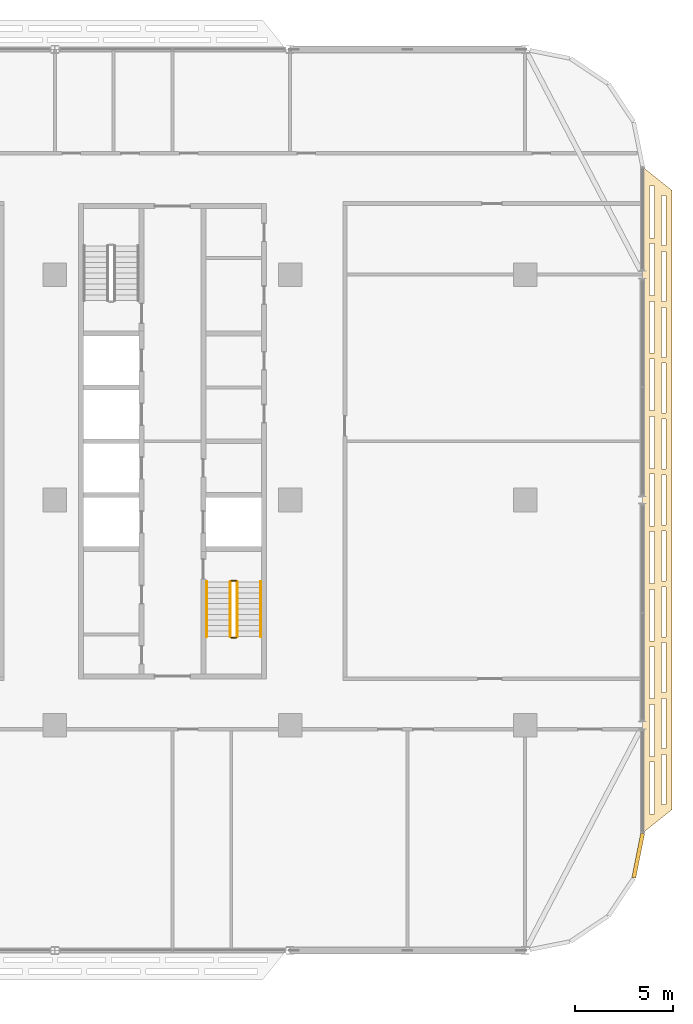
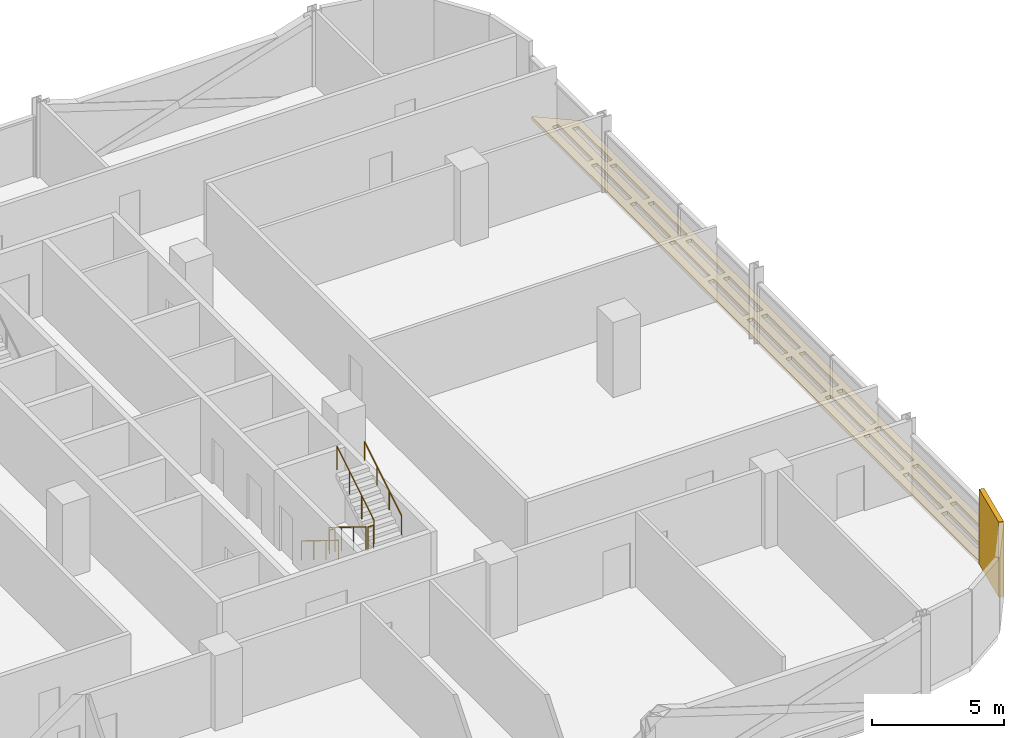
# One storey, part 26 of 27: 6 railings, 2 coverings.
"""IFC4 building model written with IfcOpenShell, lengths in metres."""

from ifc_helpers import new_model, si_unit, direction, frame, origin, origin_2d, place, context, subcontext, project, spatial, polyline, rectangle, circle, outline, extrude, material, layer, layer_set, type_object, element, save


model = new_model("IFC4")

# Units and contexts
model_context = context("Model", 3, precision=1e-05, world=origin(), true_north=direction((0.0, 1.0)))
body_context = subcontext(model_context, "Body", "Model", "MODEL_VIEW")
ifc_project = project(units=[si_unit("LENGTHUNIT", "METRE"), si_unit("AREAUNIT", "SQUARE_METRE"), si_unit("VOLUMEUNIT", "CUBIC_METRE"), si_unit("PLANEANGLEUNIT", "RADIAN"), si_unit("MASSUNIT", "GRAM", prefix="KILO")], contexts=[model_context])

# Site, building, storey
site_placement = place(None, origin())
site = spatial("IfcSite", under=ifc_project, at=site_placement, CompositionType="ELEMENT")
building_placement = place(site_placement, origin())
building = spatial("IfcBuilding", under=site, at=building_placement, Name="Mahtab Terrace Research Tower", CompositionType="ELEMENT")
storey_placement = place(building_placement, frame((0.0, 0.0, 170.60009765625)))
storey = spatial("IfcBuildingStorey", under=building, at=storey_placement, Name="L40", CompositionType="ELEMENT", Elevation=170.60009765625)

# Coverings
ifc_material_1 = material(Name="Black aluminium cladding panel", Category="aluminium")
ifc_layer_1 = layer(ifc_material_1, 0.199951171875)
ifc_layer_set_1 = layer_set([ifc_layer_1], Name="Black metal corner cladding 200")
covering_type_1 = type_object("IfcCoveringType", Name="Black metal corner cladding 200", PredefinedType="CLADDING", material=ifc_layer_set_1)
covering_1_placement = place(storey_placement, frame((47.771484375, -18.14794921875, 0.0), z_axis=(0.0, 0.0, 1.0), x_axis=(0.195212442692, 0.980760981187, 0.0)))
element("IfcCovering", 1, at=covering_1_placement, inside=storey, type_object=covering_type_1, Name="Corner cladding L40 33", PredefinedType="CLADDING", context=body_context, shape_type="SweptSolid", body=[
    extrude(rectangle(XDim=2.30126953125, YDim=0.199951171875, at=origin_2d()), origin(), (0.0, 0.0, 1.0), 3.4599609375),
])
ifc_material_2 = material(Name="Black anodised aluminium", Category="aluminium")
ifc_layer_2 = layer(ifc_material_2, 0.14990234375)
ifc_layer_set_2 = layer_set([ifc_layer_2], Name="Horizontal sunshade band")
covering_type_2 = type_object("IfcCoveringType", Name="Horizontal sunshade band", PredefinedType="CLADDING", material=ifc_layer_set_2)
covering_2_placement = place(storey_placement, frame((0.0, 0.0, -0.150146484375)))
element("IfcCovering", 2, at=covering_2_placement, inside=storey, type_object=covering_type_2, Name="Sunshade band L40 34", PredefinedType="CLADDING", context=body_context, shape_type="SweptSolid", body=[
    extrude(outline(polyline([(48.0, -17.0), (48.0, 17.0), (49.5, 15.800048828125), (49.5, -15.800048828125), (48.0, -17.0)]), holes=[polyline([(48.35009765625, -16.02001953125), (48.35009765625, -13.3798828125), (48.60009765625, -13.3798828125), (48.60009765625, -16.02001953125), (48.35009765625, -16.02001953125)]), polyline([(48.35009765625, -13.080078125), (48.35009765625, -10.43994140625), (48.60009765625, -10.43994140625), (48.60009765625, -13.080078125), (48.35009765625, -13.080078125)]), polyline([(48.35009765625, -10.139892578125), (48.35009765625, -7.5), (48.60009765625, -7.5), (48.60009765625, -10.139892578125), (48.35009765625, -10.139892578125)]), polyline([(48.35009765625, -7.199951171875), (48.35009765625, -4.56005859375), (48.60009765625, -4.56005859375), (48.60009765625, -7.199951171875), (48.35009765625, -7.199951171875)]), polyline([(48.35009765625, -4.260009765625), (48.35009765625, -1.6201171875), (48.60009765625, -1.6201171875), (48.60009765625, -4.260009765625), (48.35009765625, -4.260009765625)]), polyline([(48.35009765625, -1.320068359375), (48.35009765625, 1.320068359375), (48.60009765625, 1.320068359375), (48.60009765625, -1.320068359375), (48.35009765625, -1.320068359375)]), polyline([(48.35009765625, 1.6201171875), (48.35009765625, 4.260009765625), (48.60009765625, 4.260009765625), (48.60009765625, 1.6201171875), (48.35009765625, 1.6201171875)]), polyline([(48.35009765625, 4.56005859375), (48.35009765625, 7.199951171875), (48.60009765625, 7.199951171875), (48.60009765625, 4.56005859375), (48.35009765625, 4.56005859375)]), polyline([(48.35009765625, 7.5), (48.35009765625, 10.139892578125), (48.60009765625, 10.139892578125), (48.60009765625, 7.5), (48.35009765625, 7.5)]), polyline([(48.35009765625, 10.43994140625), (48.35009765625, 13.080078125), (48.60009765625, 13.080078125), (48.60009765625, 10.43994140625), (48.35009765625, 10.43994140625)]), polyline([(48.35009765625, 13.3798828125), (48.35009765625, 16.02001953125), (48.60009765625, 16.02001953125), (48.60009765625, 13.3798828125), (48.35009765625, 13.3798828125)]), polyline([(48.949951171875, -15.5400390625), (48.949951171875, -12.987060546875), (49.199951171875, -12.987060546875), (49.199951171875, -15.5400390625), (48.949951171875, -15.5400390625)]), polyline([(48.949951171875, -12.68701171875), (48.949951171875, -10.135009765625), (49.199951171875, -10.135009765625), (49.199951171875, -12.68701171875), (48.949951171875, -12.68701171875)]), polyline([(48.949951171875, -9.8349609375), (48.949951171875, -7.281982421875), (49.199951171875, -7.281982421875), (49.199951171875, -9.8349609375), (48.949951171875, -9.8349609375)]), polyline([(48.949951171875, -6.98193359375), (48.949951171875, -4.428955078125), (49.199951171875, -4.428955078125), (49.199951171875, -6.98193359375), (48.949951171875, -6.98193359375)]), polyline([(48.949951171875, -4.12890625), (48.949951171875, -1.575927734375), (49.199951171875, -1.575927734375), (49.199951171875, -4.12890625), (48.949951171875, -4.12890625)]), polyline([(48.949951171875, -1.27587890625), (48.949951171875, 1.27587890625), (49.199951171875, 1.27587890625), (49.199951171875, -1.27587890625), (48.949951171875, -1.27587890625)]), polyline([(48.949951171875, 1.575927734375), (48.949951171875, 4.12890625), (49.199951171875, 4.12890625), (49.199951171875, 1.575927734375), (48.949951171875, 1.575927734375)]), polyline([(48.949951171875, 4.428955078125), (48.949951171875, 6.98193359375), (49.199951171875, 6.98193359375), (49.199951171875, 4.428955078125), (48.949951171875, 4.428955078125)]), polyline([(48.949951171875, 7.281982421875), (48.949951171875, 9.8349609375), (49.199951171875, 9.8349609375), (49.199951171875, 7.281982421875), (48.949951171875, 7.281982421875)]), polyline([(48.949951171875, 10.135009765625), (48.949951171875, 12.68701171875), (49.199951171875, 12.68701171875), (49.199951171875, 10.135009765625), (48.949951171875, 10.135009765625)]), polyline([(48.949951171875, 12.987060546875), (48.949951171875, 15.5400390625), (49.199951171875, 15.5400390625), (49.199951171875, 12.987060546875), (48.949951171875, 12.987060546875)])]), origin(), (0.0, 0.0, 1.0), 0.150146484375),
])

# Railings
ifc_material_3 = material(Name="Stainless steel AISI 304", Category="steel")
railing_type_1 = type_object("IfcRailingType", Name="Stair guard 1100", PredefinedType="GUARDRAIL", material=ifc_material_3)
railing_1_placement = place(storey_placement, frame((26.949951171875, -4.175048828125, 0.172607421875)))
element("IfcRailing", 3, at=railing_1_placement, inside=storey, type_object=railing_type_1, Name="L40 ST4 stair guard 1", PredefinedType="GUARDRAIL", context=body_context, shape_type="SweptSolid", body=[
    extrude(circle(Radius=0.02392578125, at=origin_2d()), frame((0.0, 0.0, 1.076171875), z_axis=(0.0, -0.851089632645, 0.525020415988), x_axis=(1.0, 0.0, 0.0)), (0.0, 0.0, 1.0), 3.2900390625),
    extrude(circle(Radius=0.02099609375, at=origin_2d()), origin(), (0.0, 0.0, 1.0), 1.052001953125),
    extrude(circle(Radius=0.02099609375, at=origin_2d()), frame((0.0, -0.933349609375, 0.57568359375)), (0.0, 0.0, 1.0), 1.052001953125),
    extrude(circle(Radius=0.02099609375, at=origin_2d()), frame((0.0, -1.86669921875, 1.151611328125)), (0.0, 0.0, 1.0), 1.052001953125),
    extrude(circle(Radius=0.02099609375, at=origin_2d()), frame((0.0, -2.800048828125, 1.727294921875)), (0.0, 0.0, 1.0), 1.052001953125),
])
railing_2_placement = place(storey_placement, frame((27.0, -7.02490234375, 1.89990234375)))
element("IfcRailing", 4, at=railing_2_placement, inside=storey, type_object=railing_type_1, Name="L40 ST4 stair guard 2", PredefinedType="GUARDRAIL", context=body_context, shape_type="SweptSolid", body=[
    extrude(circle(Radius=0.02392578125, at=origin_2d()), frame((0.0, 0.0, 1.076171875), z_axis=(1.0, 0.0, 0.0), x_axis=(0.0, 1.0, 0.0)), (0.0, 0.0, 1.0), 0.25),
    extrude(circle(Radius=0.02099609375, at=origin_2d()), origin(), (0.0, 0.0, 1.0), 1.052001953125),
    extrude(circle(Radius=0.02099609375, at=origin_2d()), frame((0.25, 0.0, 0.0)), (0.0, 0.0, 1.0), 1.052001953125),
])
railing_3_placement = place(storey_placement, frame((27.300048828125, -6.97509765625, 2.072509765625)))
element("IfcRailing", 5, at=railing_3_placement, inside=storey, type_object=railing_type_1, Name="L40 ST4 stair guard 3", PredefinedType="GUARDRAIL", context=body_context, shape_type="SweptSolid", body=[
    extrude(circle(Radius=0.02392578125, at=origin_2d()), frame((0.0, 0.0, 1.076171875), z_axis=(0.0, 0.851089632645, 0.525020415988), x_axis=(-1.0, 0.0, 0.0)), (0.0, 0.0, 1.0), 3.2900390625),
    extrude(circle(Radius=0.02099609375, at=origin_2d()), origin(), (0.0, 0.0, 1.0), 1.052001953125),
    extrude(circle(Radius=0.02099609375, at=origin_2d()), frame((0.0, 0.933349609375, 0.57568359375)), (0.0, 0.0, 1.0), 1.052001953125),
    extrude(circle(Radius=0.02099609375, at=origin_2d()), frame((0.0, 1.86669921875, 1.151611328125)), (0.0, 0.0, 1.0), 1.052001953125),
    extrude(circle(Radius=0.02099609375, at=origin_2d()), frame((0.0, 2.800048828125, 1.727294921875)), (0.0, 0.0, 1.0), 1.052001953125),
])
railing_4_placement = place(storey_placement, frame((27.0, -4.125, 0.0)))
element("IfcRailing", 6, at=railing_4_placement, inside=storey, type_object=railing_type_1, Name="L40 ST4 stair guard 4", PredefinedType="GUARDRAIL", context=body_context, shape_type="SweptSolid", body=[
    extrude(circle(Radius=0.02392578125, at=origin_2d()), frame((0.0, 0.0, 1.076171875), z_axis=(1.0, 0.0, 0.0), x_axis=(0.0, 1.0, 0.0)), (0.0, 0.0, 1.0), 0.25),
    extrude(circle(Radius=0.02099609375, at=origin_2d()), origin(), (0.0, 0.0, 1.0), 1.052001953125),
    extrude(circle(Radius=0.02099609375, at=origin_2d()), frame((0.25, 0.0, 0.0)), (0.0, 0.0, 1.0), 1.052001953125),
])
railing_type_2 = type_object("IfcRailingType", Name="Stair handrail 900", PredefinedType="HANDRAIL", material=ifc_material_3)
railing_5_placement = place(storey_placement, frame((25.75, -4.175048828125, 0.172607421875)))
element("IfcRailing", 7, at=railing_5_placement, inside=storey, type_object=railing_type_2, Name="L40 ST4 stair handrail 1", PredefinedType="HANDRAIL", context=body_context, shape_type="SweptSolid", body=[
    extrude(circle(Radius=0.02392578125, at=origin_2d()), frame((0.0, 0.0, 0.8759765625), z_axis=(0.0, -0.851089632645, 0.525020415988), x_axis=(1.0, 0.0, 0.0)), (0.0, 0.0, 1.0), 3.2900390625),
    extrude(circle(Radius=0.02099609375, at=origin_2d()), origin(), (0.0, 0.0, 1.0), 0.851806640625),
    extrude(circle(Radius=0.02099609375, at=origin_2d()), frame((0.0, -0.933349609375, 0.57568359375)), (0.0, 0.0, 1.0), 0.851806640625),
    extrude(circle(Radius=0.02099609375, at=origin_2d()), frame((0.0, -1.86669921875, 1.151611328125)), (0.0, 0.0, 1.0), 0.851806640625),
    extrude(circle(Radius=0.02099609375, at=origin_2d()), frame((0.0, -2.800048828125, 1.727294921875)), (0.0, 0.0, 1.0), 0.851806640625),
])
railing_6_placement = place(storey_placement, frame((28.5, -6.97509765625, 2.072509765625)))
element("IfcRailing", 8, at=railing_6_placement, inside=storey, type_object=railing_type_2, Name="L40 ST4 stair handrail 2", PredefinedType="HANDRAIL", context=body_context, shape_type="SweptSolid", body=[
    extrude(circle(Radius=0.02392578125, at=origin_2d()), frame((0.0, 0.0, 0.8759765625), z_axis=(0.0, 0.851089632645, 0.525020415988), x_axis=(-1.0, 0.0, 0.0)), (0.0, 0.0, 1.0), 3.2900390625),
    extrude(circle(Radius=0.02099609375, at=origin_2d()), origin(), (0.0, 0.0, 1.0), 0.851806640625),
    extrude(circle(Radius=0.02099609375, at=origin_2d()), frame((0.0, 0.933349609375, 0.57568359375)), (0.0, 0.0, 1.0), 0.851806640625),
    extrude(circle(Radius=0.02099609375, at=origin_2d()), frame((0.0, 1.86669921875, 1.151611328125)), (0.0, 0.0, 1.0), 0.851806640625),
    extrude(circle(Radius=0.02099609375, at=origin_2d()), frame((0.0, 2.800048828125, 1.727294921875)), (0.0, 0.0, 1.0), 0.851806640625),
])

save(model, "model.ifc")
